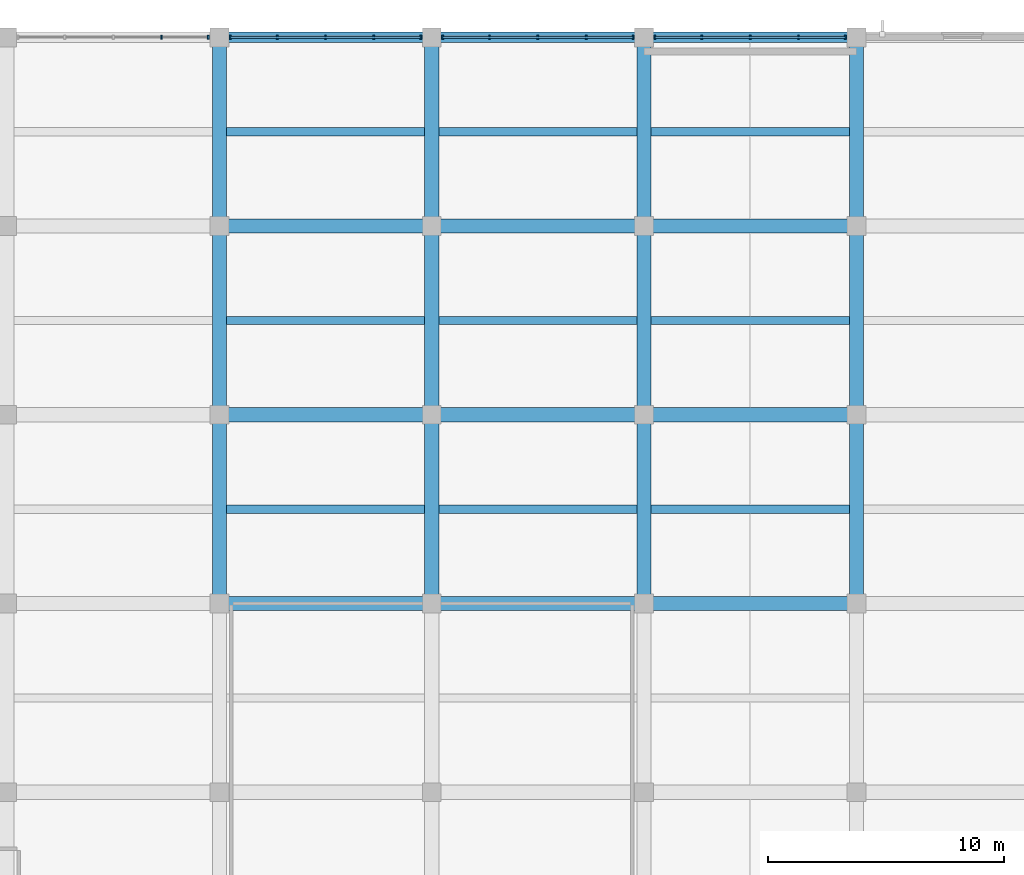
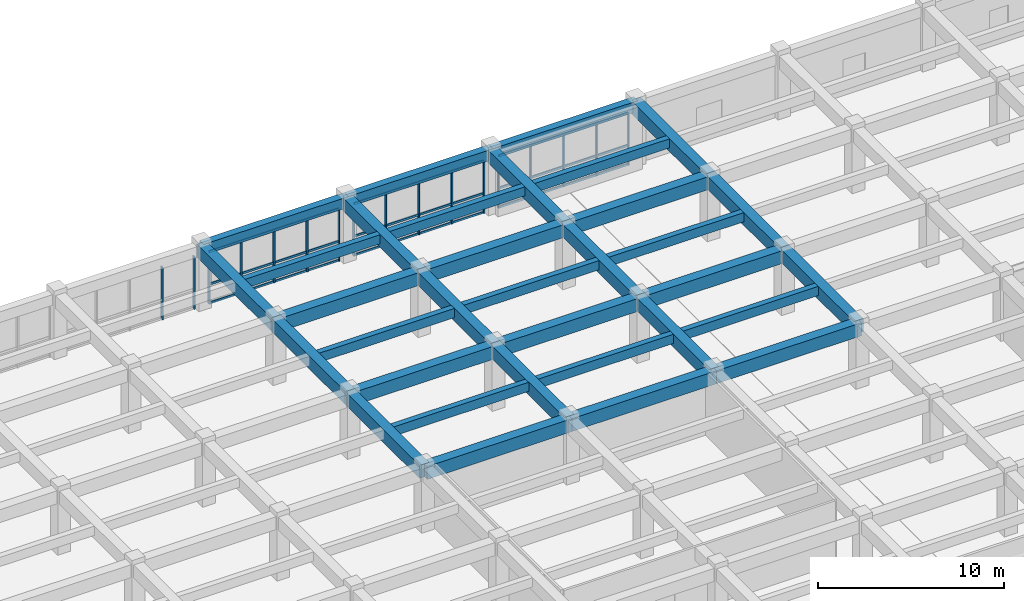
# One storey, part 17 of 50: 33 beams, 26 members, 4 elements without a shape of their own.
"""IFC4 building model written with IfcOpenShell, lengths in metres."""

import ifcopenshell
import ifcopenshell.guid

model = None  # the IFC model being written
_history = None  # IfcOwnerHistory: only IFC2X3 demands one
_inside = {}  # id of a spatial element -> (the spatial element, [elements in it])
_under = {}  # id of a project, library or spatial element -> (it, [spatial elements below it])
_declared = {}  # id of a project -> (the project, [libraries it declares])
_typed = {}  # id of a type object -> (the type object, [elements of that type])
_made_of = {}  # id of a material, layer set ... -> (it, [elements and type objects made of it])


def new_model(schema):
    """Start an empty IFC model of exactly this schema.

    Asked for "IFC4X3", IfcOpenShell would pick the latest addendum, in which some entities
    have other attributes; the version numbers below select the first issue.
    IFC2X3 requires an IfcOwnerHistory on every rooted entity: one is made here for all.
    """
    global model, _history
    if schema == "IFC4X3":
        model = ifcopenshell.file(schema_version=(4, 3, 0, 0))
    else:
        model = ifcopenshell.file(schema=schema)
    _inside.clear()
    _under.clear()
    _declared.clear()
    _typed.clear()
    _made_of.clear()
    _history = None
    if model.schema == "IFC2X3":
        org = make("IfcOrganization", Name="unknown")
        user = make(
            "IfcPersonAndOrganization",
            ThePerson=make("IfcPerson", FamilyName="unknown"),
            TheOrganization=org,
        )
        app = make(
            "IfcApplication",
            ApplicationDeveloper=org,
            Version="unknown",
            ApplicationFullName="unknown",
            ApplicationIdentifier="unknown",
        )
        _history = make(
            "IfcOwnerHistory",
            OwningUser=user,
            OwningApplication=app,
            ChangeAction="ADDED",
            CreationDate=0,
        )
    return model


def make(cls, **values):
    """One entity of the class cls with the attributes given. An attribute that is None is left unset."""
    return model.create_entity(
        cls, **{name: value for name, value in values.items() if value is not None}
    )


def rooted(cls, **values):
    """An entity with a GlobalId (a new one), such as an element, a storey or a relation."""
    return make(cls, GlobalId=ifcopenshell.guid.new(), OwnerHistory=_history, **values)


def si_unit(unit_type, name, prefix=None):
    """IfcSIUnit, for example si_unit("LENGTHUNIT", "METRE", prefix="MILLI")."""
    return make("IfcSIUnit", UnitType=unit_type, Prefix=prefix, Name=name)


def assignment(units):
    """IfcUnitAssignment: the units of a project."""
    return None if units is None else make("IfcUnitAssignment", Units=units)


def point(xyz):
    """IfcCartesianPoint."""
    return None if xyz is None else make("IfcCartesianPoint", Coordinates=xyz)


def direction(xyz):
    """IfcDirection."""
    return None if xyz is None else make("IfcDirection", DirectionRatios=xyz)


def frame(location, z_axis=None, x_axis=None):
    """IfcAxis2Placement3D, a coordinate frame: its origin and axes. An axis left out is left unset."""
    return make(
        "IfcAxis2Placement3D",
        Location=point(location),
        Axis=direction(z_axis),
        RefDirection=direction(x_axis),
    )


def frame_2d(location, x_axis=None):
    """IfcAxis2Placement2D, a coordinate frame in the plane: its origin and x axis."""
    return make(
        "IfcAxis2Placement2D", Location=point(location), RefDirection=direction(x_axis)
    )


def origin():
    """The frame at (0, 0, 0) with its axes left unset."""
    return frame((0.0, 0.0, 0.0))


def origin_2d():
    """The frame at (0, 0) in the plane with its x axis left unset."""
    return frame_2d((0.0, 0.0))


def place(relative_to, where):
    """IfcLocalPlacement: puts the frame where relative to a parent placement (None: the world)."""
    return make(
        "IfcLocalPlacement", PlacementRelTo=relative_to, RelativePlacement=where
    )


def context(
    kind, dimensions, precision=None, world=None, true_north=None, identifier=None
):
    """IfcGeometricRepresentationContext, for example the 3D "Model" context."""
    return make(
        "IfcGeometricRepresentationContext",
        ContextIdentifier=identifier,
        ContextType=kind,
        CoordinateSpaceDimension=dimensions,
        Precision=precision,
        WorldCoordinateSystem=world,
        TrueNorth=true_north,
    )


def subcontext(parent, identifier, kind, view, scale=None):
    """IfcGeometricRepresentationSubContext, for example "Body" below "Model"."""
    return make(
        "IfcGeometricRepresentationSubContext",
        ContextIdentifier=identifier,
        ContextType=kind,
        ParentContext=parent,
        TargetScale=scale,
        TargetView=view,
    )


def project(units=None, contexts=None):
    """IfcProject with its units and contexts."""
    return rooted(
        "IfcProject",
        Name="project",
        RepresentationContexts=contexts,
        UnitsInContext=assignment(units),
    )


def spatial(cls, under=None, at=None, **own):
    """A site, building, storey or space (cls), placed at a placement, below another one or the project."""
    s = rooted(cls, ObjectPlacement=at, **own)
    if under is not None:
        _under.setdefault(under.id(), (under, []))[1].append(s)
    return s


def profile(cls, at=None, kind="AREA", **sizes):
    """A parametric profile (cls). Its sizes go by their IFC names, for example OverallWidth=200.0."""
    return make(cls, ProfileType=kind, Position=at, **sizes)


def rectangle(**sizes):
    """IfcRectangleProfileDef."""
    return profile("IfcRectangleProfileDef", **sizes)


def extrude(swept, where, along, depth):
    """IfcExtrudedAreaSolid: the profile swept, set in the frame where, extruded along a direction by depth."""
    return make(
        "IfcExtrudedAreaSolid",
        SweptArea=swept,
        Position=where,
        ExtrudedDirection=direction(along),
        Depth=depth,
    )


def shape(context_of_items, identifier, shape_type, items):
    """IfcShapeRepresentation: the items that make up one representation, for example the "Body"."""
    return make(
        "IfcShapeRepresentation",
        ContextOfItems=context_of_items,
        RepresentationIdentifier=identifier,
        RepresentationType=shape_type,
        Items=items,
    )


def material(Name=None, Category=None):
    """IfcMaterial."""
    return make("IfcMaterial", Name=Name, Category=Category)


def material_profile(
    of_material, cross_section, Name=None, Category=None, Priority=None
):
    """IfcMaterialProfile: a cross section and its material."""
    return make(
        "IfcMaterialProfile",
        Name=Name,
        Material=of_material,
        Profile=cross_section,
        Priority=Priority,
        Category=Category,
    )


def profile_set(profiles, Name=None, composite=None):
    """IfcMaterialProfileSet."""
    return make(
        "IfcMaterialProfileSet",
        Name=Name,
        MaterialProfiles=profiles,
        CompositeProfile=composite,
    )


def made_of(thing, what):
    """Note that an element or type object is made of a material, layer set ...; save() writes the relation."""
    if what is not None:
        _made_of.setdefault(what.id(), (what, []))[1].append(thing)
    return thing


def type_object(cls, material=None, **own):
    """A type object (cls), such as IfcWallType, which elements share."""
    return made_of(rooted(cls, **own), material)


def element(
    cls,
    number,
    at=None,
    inside=None,
    cuts=None,
    type_object=None,
    material=None,
    context=None,
    identifier="Body",
    shape_type=None,
    held_by="IfcProductDefinitionShape",
    body=None,
    shapes=None,
    **own,
):
    """One element of the class cls, such as IfcWall. Its Tag is "e" and its number.

    at: its placement. inside: the storey or other place that contains it. cuts: it is an
    opening in that element (IfcRelVoidsElement). A single representation is given by context,
    identifier, shape_type and body (its items); several are given by shapes. held_by: the class
    of the entity that holds the representations. save() writes the other relations.
    """
    e = rooted(cls, Tag="e%d" % number, ObjectPlacement=at, **own)
    if body is not None:
        shapes = [shape(context, identifier, shape_type, body)]
    if shapes is not None:
        e.Representation = make(held_by, Representations=shapes)
    if inside is not None:
        _inside.setdefault(inside.id(), (inside, []))[1].append(e)
    if cuts is not None:
        rooted(
            "IfcRelVoidsElement", RelatingBuildingElement=cuts, RelatedOpeningElement=e
        )
    if type_object is not None:
        _typed.setdefault(type_object.id(), (type_object, []))[1].append(e)
    return made_of(e, material)


def aggregate(whole, parts):
    """IfcRelAggregates: a whole, such as a stair, and the parts it consists of."""
    return rooted("IfcRelAggregates", RelatingObject=whole, RelatedObjects=parts)


def save(model, path):
    """Write the relations noted so far, then the file.

    IfcRelAggregates (storeys below a building ...), IfcRelContainedInSpatialStructure (elements
    in a storey), IfcRelDefinesByType, IfcRelAssociatesMaterial and IfcRelDeclares: one each for
    every whole, place, type object, material and project.
    """
    for whole, parts in _under.values():
        aggregate(whole, parts)
    for where, things in _inside.values():
        rooted(
            "IfcRelContainedInSpatialStructure",
            RelatedElements=things,
            RelatingStructure=where,
        )
    for kind, things in _typed.values():
        rooted("IfcRelDefinesByType", RelatedObjects=things, RelatingType=kind)
    for what, things in _made_of.values():
        rooted("IfcRelAssociatesMaterial", RelatedObjects=things, RelatingMaterial=what)
    for by, libraries in _declared.values():
        rooted("IfcRelDeclares", RelatingContext=by, RelatedDefinitions=libraries)
    model.write(path)


model = new_model("IFC4")

# Units and contexts
model_context = context("Model", 3, precision=1e-05, world=origin(), true_north=direction((0.0, 1.0)))
body_context = subcontext(model_context, "Body", "Model", "MODEL_VIEW")
ifc_project = project(units=[si_unit("LENGTHUNIT", "METRE"), si_unit("AREAUNIT", "SQUARE_METRE"), si_unit("VOLUMEUNIT", "CUBIC_METRE"), si_unit("PLANEANGLEUNIT", "RADIAN"), si_unit("MASSUNIT", "GRAM", prefix="KILO")], contexts=[model_context])

# Site, building, storey
site_placement = place(None, origin())
site = spatial("IfcSite", under=ifc_project, at=site_placement, CompositionType="ELEMENT")
building_placement = place(site_placement, origin())
building = spatial("IfcBuilding", under=site, at=building_placement, Name="Zaverband Oceanarium and Marine Research Institute", CompositionType="ELEMENT")
storey_placement = place(building_placement, frame((0.0, 0.0, 4.5)))
storey = spatial("IfcBuildingStorey", under=building, at=storey_placement, Name="L01", CompositionType="ELEMENT", Elevation=4.5)

# Beams
ifc_material_1 = material(Name="Concrete C40/50", Category="concrete")
ifc_material_profile_1 = material_profile(ifc_material_1, rectangle(XDim=0.60009765625, YDim=0.85009765625, at=origin_2d()), Name="RC600x850")
ifc_profile_set_1 = profile_set([ifc_material_profile_1], Name="Concrete C40/50")
beam_type_1 = type_object("IfcBeamType", Name="BM-600x850", PredefinedType="BEAM", material=ifc_profile_set_1)
for number, where, z_axis, x_axis, name in (
    (1, (99.0, 96.0, 3.7548828125), (1.0, 0.0, 0.0), (0.0, 1.0, 0.0), "Primary floor girder BM-600x850"),
    (2, (108.0, 96.0, 3.7548828125), (1.0, 0.0, 0.0), (0.0, 1.0, 0.0), "Primary floor girder BM-600x850"),
    (3, (117.0, 96.0, 3.7548828125), (1.0, 0.0, 0.0), (0.0, 1.0, 0.0), "Primary floor girder BM-600x850"),
    (4, (99.0, 104.0, 3.7548828125), (1.0, 0.0, 0.0), (0.0, 1.0, 0.0), "Primary floor girder BM-600x850"),
    (5, (108.0, 104.0, 3.7548828125), (1.0, 0.0, 0.0), (0.0, 1.0, 0.0), "Primary floor girder BM-600x850"),
    (6, (117.0, 104.0, 3.7548828125), (1.0, 0.0, 0.0), (0.0, 1.0, 0.0), "Primary floor girder BM-600x850"),
    (7, (99.0, 112.0, 3.7548828125), (1.0, 0.0, 0.0), (0.0, 1.0, 0.0), "Primary floor girder BM-600x850"),
    (8, (108.0, 112.0, 3.7548828125), (1.0, 0.0, 0.0), (0.0, 1.0, 0.0), "Primary floor girder BM-600x850"),
    (9, (117.0, 112.0, 3.7548828125), (1.0, 0.0, 0.0), (0.0, 1.0, 0.0), "Primary floor girder BM-600x850"),
):
    element("IfcBeam", number, at=place(storey_placement, frame(where, z_axis=z_axis, x_axis=x_axis)), inside=storey, type_object=beam_type_1, Name=name, PredefinedType="BEAM", context=body_context, shape_type="SweptSolid", body=[
        extrude(rectangle(XDim=0.60009765625, YDim=0.85009765625, at=origin_2d()), origin(), (0.0, 0.0, 1.0), 9.0),
    ])
for number, where, z_axis, x_axis, name in (
    (10, (99.0, 96.0, 3.7548828125), (0.0, 1.0, 0.0), (-1.0, 0.0, 0.0), "Primary floor girder BM-600x850"),
    (11, (99.0, 104.0, 3.7548828125), (0.0, 1.0, 0.0), (-1.0, 0.0, 0.0), "Primary floor girder BM-600x850"),
    (12, (99.0, 112.0, 3.7548828125), (0.0, 1.0, 0.0), (-1.0, 0.0, 0.0), "Primary floor girder BM-600x850"),
    (13, (108.0, 96.0, 3.7548828125), (0.0, 1.0, 0.0), (-1.0, 0.0, 0.0), "Primary floor girder BM-600x850"),
    (14, (108.0, 104.0, 3.7548828125), (0.0, 1.0, 0.0), (-1.0, 0.0, 0.0), "Primary floor girder BM-600x850"),
    (15, (108.0, 112.0, 3.7548828125), (0.0, 1.0, 0.0), (-1.0, 0.0, 0.0), "Primary floor girder BM-600x850"),
    (16, (117.0, 96.0, 3.7548828125), (0.0, 1.0, 0.0), (-1.0, 0.0, 0.0), "Primary floor girder BM-600x850"),
    (17, (117.0, 104.0, 3.7548828125), (0.0, 1.0, 0.0), (-1.0, 0.0, 0.0), "Primary floor girder BM-600x850"),
    (18, (117.0, 112.0, 3.7548828125), (0.0, 1.0, 0.0), (-1.0, 0.0, 0.0), "Primary floor girder BM-600x850"),
    (19, (126.0, 96.0, 3.7548828125), (0.0, 1.0, 0.0), (-1.0, 0.0, 0.0), "Primary floor girder BM-600x850"),
    (20, (126.0, 104.0, 3.7548828125), (0.0, 1.0, 0.0), (-1.0, 0.0, 0.0), "Primary floor girder BM-600x850"),
    (21, (126.0, 112.0, 3.7548828125), (0.0, 1.0, 0.0), (-1.0, 0.0, 0.0), "Primary floor girder BM-600x850"),
):
    element("IfcBeam", number, at=place(storey_placement, frame(where, z_axis=z_axis, x_axis=x_axis)), inside=storey, type_object=beam_type_1, Name=name, PredefinedType="BEAM", context=body_context, shape_type="SweptSolid", body=[
        extrude(rectangle(XDim=0.60009765625, YDim=0.85009765625, at=origin_2d()), origin(), (0.0, 0.0, 1.0), 8.0),
    ])
ifc_material_profile_2 = material_profile(ifc_material_1, rectangle(XDim=0.35009765625, YDim=0.60009765625, at=origin_2d()), Name="RC350x600")
ifc_profile_set_2 = profile_set([ifc_material_profile_2], Name="Concrete C40/50")
beam_type_2 = type_object("IfcBeamType", Name="JST-350x600", PredefinedType="JOIST", material=ifc_profile_set_2)
for number, where, z_axis, x_axis, name in (
    (22, (99.300048828125, 100.0, 3.8798828125), (1.0, 0.0, 0.0), (0.0, 1.0, 0.0), "Secondary floor joist JST-350x600"),
    (23, (99.300048828125, 108.0, 3.8798828125), (1.0, 0.0, 0.0), (0.0, 1.0, 0.0), "Secondary floor joist JST-350x600"),
    (24, (99.300048828125, 116.0, 3.8798828125), (1.0, 0.0, 0.0), (0.0, 1.0, 0.0), "Secondary floor joist JST-350x600"),
    (25, (108.300048828125, 100.0, 3.8798828125), (1.0, 0.0, 0.0), (0.0, 1.0, 0.0), "Secondary floor joist JST-350x600"),
    (26, (108.300048828125, 108.0, 3.8798828125), (1.0, 0.0, 0.0), (0.0, 1.0, 0.0), "Secondary floor joist JST-350x600"),
    (27, (108.300048828125, 116.0, 3.8798828125), (1.0, 0.0, 0.0), (0.0, 1.0, 0.0), "Secondary floor joist JST-350x600"),
    (28, (117.300048828125, 100.0, 3.8798828125), (1.0, 0.0, 0.0), (0.0, 1.0, 0.0), "Secondary floor joist JST-350x600"),
    (29, (117.300048828125, 108.0, 3.8798828125), (1.0, 0.0, 0.0), (0.0, 1.0, 0.0), "Secondary floor joist JST-350x600"),
    (30, (117.300048828125, 116.0, 3.8798828125), (1.0, 0.0, 0.0), (0.0, 1.0, 0.0), "Secondary floor joist JST-350x600"),
):
    element("IfcBeam", number, at=place(storey_placement, frame(where, z_axis=z_axis, x_axis=x_axis)), inside=storey, type_object=beam_type_2, Name=name, PredefinedType="JOIST", context=body_context, shape_type="SweptSolid", body=[
        extrude(rectangle(XDim=0.35009765625, YDim=0.60009765625, at=origin_2d()), origin(), (0.0, 0.0, 1.0), 8.39990234375),
    ])

# Curtain wall, members
ifc_material_2 = material(Name="Thermally broken anodized aluminium and solar-control glass", Category="aluminium")
curtain_wall_type = type_object("IfcCurtainWallType", Name="CW-UNIT-1800", PredefinedType="NOTDEFINED", material=ifc_material_2)
curtain_wall_1_placement = place(storey_placement, origin())
curtain_wall_1 = element("IfcCurtainWall", 31, at=curtain_wall_1_placement, inside=storey, type_object=curtain_wall_type, Name="Unitised glazed curtain wall CW-025", PredefinedType="NOTDEFINED")
ifc_material_3 = material(Name="Thermally broken anodized aluminium", Category="aluminium")
ifc_material_profile_3 = material_profile(ifc_material_3, rectangle(XDim=0.080078125, YDim=0.179931640625, at=origin_2d()), Name="AL-MUL-80x180")
ifc_profile_set_3 = profile_set([ifc_material_profile_3], Name="Thermally broken anodized aluminium")
member_type_1 = type_object("IfcMemberType", Name="MUL-80x180", PredefinedType="MULLION", material=ifc_profile_set_3)
member_1_placement = place(storey_placement, frame((96.547607421875, 120.0, 0.0), z_axis=(0.0, 0.0, 1.0), x_axis=(1.0, 0.0, 0.0)))
member_1 = element("IfcMember", 32, at=member_1_placement, type_object=member_type_1, Name="Curtain wall vertical mullion MUL-80x180", PredefinedType="MULLION", context=body_context, shape_type="SweptSolid", body=[
    extrude(rectangle(XDim=0.080078125, YDim=0.179931640625, at=origin_2d()), origin(), (0.0, 0.0, 1.0), 3.4599609375),
])
member_2_placement = place(storey_placement, frame((98.534912109375, 120.0, 0.0), z_axis=(0.0, 0.0, 1.0), x_axis=(1.0, 0.0, 0.0)))
member_2 = element("IfcMember", 33, at=member_2_placement, type_object=member_type_1, Name="Curtain wall vertical mullion MUL-80x180", PredefinedType="MULLION", context=body_context, shape_type="SweptSolid", body=[
    extrude(rectangle(XDim=0.080078125, YDim=0.179931640625, at=origin_2d()), origin(), (0.0, 0.0, 1.0), 3.4599609375),
])
aggregate(curtain_wall_1, [member_1, member_2])

curtain_wall_2_placement = place(storey_placement, origin())
curtain_wall_2 = element("IfcCurtainWall", 34, at=curtain_wall_2_placement, inside=storey, type_object=curtain_wall_type, Name="Unitised glazed curtain wall CW-026", PredefinedType="NOTDEFINED")
member_3_placement = place(storey_placement, frame((99.465087890625, 120.0, 0.0), z_axis=(0.0, 0.0, 1.0), x_axis=(1.0, 0.0, 0.0)))
member_3 = element("IfcMember", 35, at=member_3_placement, type_object=member_type_1, Name="Curtain wall vertical mullion MUL-80x180", PredefinedType="MULLION", context=body_context, shape_type="SweptSolid", body=[
    extrude(rectangle(XDim=0.080078125, YDim=0.179931640625, at=origin_2d()), origin(), (0.0, 0.0, 1.0), 3.4599609375),
])
member_4_placement = place(storey_placement, frame((101.452392578125, 120.0, 0.0), z_axis=(0.0, 0.0, 1.0), x_axis=(1.0, 0.0, 0.0)))
member_4 = element("IfcMember", 36, at=member_4_placement, type_object=member_type_1, Name="Curtain wall vertical mullion MUL-80x180", PredefinedType="MULLION", context=body_context, shape_type="SweptSolid", body=[
    extrude(rectangle(XDim=0.080078125, YDim=0.179931640625, at=origin_2d()), origin(), (0.0, 0.0, 1.0), 3.4599609375),
])
member_5_placement = place(storey_placement, frame((103.5, 120.0, 0.0), z_axis=(0.0, 0.0, 1.0), x_axis=(1.0, 0.0, 0.0)))
member_5 = element("IfcMember", 37, at=member_5_placement, type_object=member_type_1, Name="Curtain wall vertical mullion MUL-80x180", PredefinedType="MULLION", context=body_context, shape_type="SweptSolid", body=[
    extrude(rectangle(XDim=0.080078125, YDim=0.179931640625, at=origin_2d()), origin(), (0.0, 0.0, 1.0), 3.4599609375),
])
member_6_placement = place(storey_placement, frame((105.547607421875, 120.0, 0.0), z_axis=(0.0, 0.0, 1.0), x_axis=(1.0, 0.0, 0.0)))
member_6 = element("IfcMember", 38, at=member_6_placement, type_object=member_type_1, Name="Curtain wall vertical mullion MUL-80x180", PredefinedType="MULLION", context=body_context, shape_type="SweptSolid", body=[
    extrude(rectangle(XDim=0.080078125, YDim=0.179931640625, at=origin_2d()), origin(), (0.0, 0.0, 1.0), 3.4599609375),
])
member_7_placement = place(storey_placement, frame((107.534912109375, 120.0, 0.0), z_axis=(0.0, 0.0, 1.0), x_axis=(1.0, 0.0, 0.0)))
member_7 = element("IfcMember", 39, at=member_7_placement, type_object=member_type_1, Name="Curtain wall vertical mullion MUL-80x180", PredefinedType="MULLION", context=body_context, shape_type="SweptSolid", body=[
    extrude(rectangle(XDim=0.080078125, YDim=0.179931640625, at=origin_2d()), origin(), (0.0, 0.0, 1.0), 3.4599609375),
])

curtain_wall_3_placement = place(storey_placement, origin())
curtain_wall_3 = element("IfcCurtainWall", 40, at=curtain_wall_3_placement, inside=storey, type_object=curtain_wall_type, Name="Unitised glazed curtain wall CW-027", PredefinedType="NOTDEFINED")
member_8_placement = place(storey_placement, frame((108.465087890625, 120.0, 0.0), z_axis=(0.0, 0.0, 1.0), x_axis=(1.0, 0.0, 0.0)))
member_8 = element("IfcMember", 41, at=member_8_placement, type_object=member_type_1, Name="Curtain wall vertical mullion MUL-80x180", PredefinedType="MULLION", context=body_context, shape_type="SweptSolid", body=[
    extrude(rectangle(XDim=0.080078125, YDim=0.179931640625, at=origin_2d()), origin(), (0.0, 0.0, 1.0), 3.4599609375),
])
member_9_placement = place(storey_placement, frame((110.452392578125, 120.0, 0.0), z_axis=(0.0, 0.0, 1.0), x_axis=(1.0, 0.0, 0.0)))
member_9 = element("IfcMember", 42, at=member_9_placement, type_object=member_type_1, Name="Curtain wall vertical mullion MUL-80x180", PredefinedType="MULLION", context=body_context, shape_type="SweptSolid", body=[
    extrude(rectangle(XDim=0.080078125, YDim=0.179931640625, at=origin_2d()), origin(), (0.0, 0.0, 1.0), 3.4599609375),
])
member_10_placement = place(storey_placement, frame((112.5, 120.0, 0.0), z_axis=(0.0, 0.0, 1.0), x_axis=(1.0, 0.0, 0.0)))
member_10 = element("IfcMember", 43, at=member_10_placement, type_object=member_type_1, Name="Curtain wall vertical mullion MUL-80x180", PredefinedType="MULLION", context=body_context, shape_type="SweptSolid", body=[
    extrude(rectangle(XDim=0.080078125, YDim=0.179931640625, at=origin_2d()), origin(), (0.0, 0.0, 1.0), 3.4599609375),
])
member_11_placement = place(storey_placement, frame((114.547607421875, 120.0, 0.0), z_axis=(0.0, 0.0, 1.0), x_axis=(1.0, 0.0, 0.0)))
member_11 = element("IfcMember", 44, at=member_11_placement, type_object=member_type_1, Name="Curtain wall vertical mullion MUL-80x180", PredefinedType="MULLION", context=body_context, shape_type="SweptSolid", body=[
    extrude(rectangle(XDim=0.080078125, YDim=0.179931640625, at=origin_2d()), origin(), (0.0, 0.0, 1.0), 3.4599609375),
])
member_12_placement = place(storey_placement, frame((116.534912109375, 120.0, 0.0), z_axis=(0.0, 0.0, 1.0), x_axis=(1.0, 0.0, 0.0)))
member_12 = element("IfcMember", 45, at=member_12_placement, type_object=member_type_1, Name="Curtain wall vertical mullion MUL-80x180", PredefinedType="MULLION", context=body_context, shape_type="SweptSolid", body=[
    extrude(rectangle(XDim=0.080078125, YDim=0.179931640625, at=origin_2d()), origin(), (0.0, 0.0, 1.0), 3.4599609375),
])

curtain_wall_4_placement = place(storey_placement, origin())
curtain_wall_4 = element("IfcCurtainWall", 46, at=curtain_wall_4_placement, inside=storey, type_object=curtain_wall_type, Name="Unitised glazed curtain wall CW-028", PredefinedType="NOTDEFINED")
member_13_placement = place(storey_placement, frame((117.465087890625, 120.0, 0.0), z_axis=(0.0, 0.0, 1.0), x_axis=(1.0, 0.0, 0.0)))
member_13 = element("IfcMember", 47, at=member_13_placement, type_object=member_type_1, Name="Curtain wall vertical mullion MUL-80x180", PredefinedType="MULLION", context=body_context, shape_type="SweptSolid", body=[
    extrude(rectangle(XDim=0.080078125, YDim=0.179931640625, at=origin_2d()), origin(), (0.0, 0.0, 1.0), 3.4599609375),
])
member_14_placement = place(storey_placement, frame((119.452392578125, 120.0, 0.0), z_axis=(0.0, 0.0, 1.0), x_axis=(1.0, 0.0, 0.0)))
member_14 = element("IfcMember", 48, at=member_14_placement, type_object=member_type_1, Name="Curtain wall vertical mullion MUL-80x180", PredefinedType="MULLION", context=body_context, shape_type="SweptSolid", body=[
    extrude(rectangle(XDim=0.080078125, YDim=0.179931640625, at=origin_2d()), origin(), (0.0, 0.0, 1.0), 3.4599609375),
])
member_15_placement = place(storey_placement, frame((121.5, 120.0, 0.0), z_axis=(0.0, 0.0, 1.0), x_axis=(1.0, 0.0, 0.0)))
member_15 = element("IfcMember", 49, at=member_15_placement, type_object=member_type_1, Name="Curtain wall vertical mullion MUL-80x180", PredefinedType="MULLION", context=body_context, shape_type="SweptSolid", body=[
    extrude(rectangle(XDim=0.080078125, YDim=0.179931640625, at=origin_2d()), origin(), (0.0, 0.0, 1.0), 3.4599609375),
])
member_16_placement = place(storey_placement, frame((123.547607421875, 120.0, 0.0), z_axis=(0.0, 0.0, 1.0), x_axis=(1.0, 0.0, 0.0)))
member_16 = element("IfcMember", 50, at=member_16_placement, type_object=member_type_1, Name="Curtain wall vertical mullion MUL-80x180", PredefinedType="MULLION", context=body_context, shape_type="SweptSolid", body=[
    extrude(rectangle(XDim=0.080078125, YDim=0.179931640625, at=origin_2d()), origin(), (0.0, 0.0, 1.0), 3.4599609375),
])
member_17_placement = place(storey_placement, frame((125.534912109375, 120.0, 0.0), z_axis=(0.0, 0.0, 1.0), x_axis=(1.0, 0.0, 0.0)))
member_17 = element("IfcMember", 51, at=member_17_placement, type_object=member_type_1, Name="Curtain wall vertical mullion MUL-80x180", PredefinedType="MULLION", context=body_context, shape_type="SweptSolid", body=[
    extrude(rectangle(XDim=0.080078125, YDim=0.179931640625, at=origin_2d()), origin(), (0.0, 0.0, 1.0), 3.4599609375),
])

# Beams
ifc_material_profile_4 = material_profile(ifc_material_1, rectangle(XDim=0.449951171875, YDim=0.699951171875, at=origin_2d()), Name="RC450x700")
ifc_profile_set_4 = profile_set([ifc_material_profile_4], Name="Concrete C40/50")
beam_type_3 = type_object("IfcBeamType", Name="SPN-450x700", PredefinedType="SPANDREL", material=ifc_profile_set_4)
for number, where, z_axis, x_axis, name in (
    (52, (99.0, 120.0, 3.830078125), (1.0, 0.0, 0.0), (0.0, 1.0, 0.0), "Perimeter spandrel beam SPN-450x700"),
    (53, (108.0, 120.0, 3.830078125), (1.0, 0.0, 0.0), (0.0, 1.0, 0.0), "Perimeter spandrel beam SPN-450x700"),
    (54, (117.0, 120.0, 3.830078125), (1.0, 0.0, 0.0), (0.0, 1.0, 0.0), "Perimeter spandrel beam SPN-450x700"),
):
    element("IfcBeam", number, at=place(storey_placement, frame(where, z_axis=z_axis, x_axis=x_axis)), inside=storey, type_object=beam_type_3, Name=name, PredefinedType="SPANDREL", context=body_context, shape_type="SweptSolid", body=[
        extrude(rectangle(XDim=0.449951171875, YDim=0.699951171875, at=origin_2d()), origin(), (0.0, 0.0, 1.0), 9.0),
    ])

# Member
ifc_material_profile_5 = material_profile(ifc_material_3, rectangle(XDim=0.080078125, YDim=0.139892578125, at=origin_2d()), Name="AL-TRN-80x140")
ifc_profile_set_5 = profile_set([ifc_material_profile_5], Name="Thermally broken anodized aluminium")
member_type_2 = type_object("IfcMemberType", Name="TRN-80x140", PredefinedType="USERDEFINED", material=ifc_profile_set_5)
member_18_placement = place(storey_placement, frame((99.465087890625, 120.0, 0.050048828125), z_axis=(1.0, 0.0, 0.0), x_axis=(0.0, 1.0, 0.0)))
member_18 = element("IfcMember", 55, at=member_18_placement, type_object=member_type_2, Name="Curtain wall horizontal transom TRN-80x140", ObjectType="TRANSOM", PredefinedType="USERDEFINED", context=body_context, shape_type="SweptSolid", body=[
    extrude(rectangle(XDim=0.080078125, YDim=0.139892578125, at=origin_2d()), origin(), (0.0, 0.0, 1.0), 8.06982421875),
])

member_19_placement = place(storey_placement, frame((99.465087890625, 120.0, 1.291015625), z_axis=(1.0, 0.0, 0.0), x_axis=(0.0, 1.0, 0.0)))
member_19 = element("IfcMember", 56, at=member_19_placement, type_object=member_type_2, Name="Curtain wall horizontal transom TRN-80x140", ObjectType="TRANSOM", PredefinedType="USERDEFINED", context=body_context, shape_type="SweptSolid", body=[
    extrude(rectangle(XDim=0.080078125, YDim=0.139892578125, at=origin_2d()), origin(), (0.0, 0.0, 1.0), 8.06982421875),
])

member_20_placement = place(storey_placement, frame((99.465087890625, 120.0, 3.409912109375), z_axis=(1.0, 0.0, 0.0), x_axis=(0.0, 1.0, 0.0)))
member_20 = element("IfcMember", 57, at=member_20_placement, type_object=member_type_2, Name="Curtain wall horizontal transom TRN-80x140", ObjectType="TRANSOM", PredefinedType="USERDEFINED", context=body_context, shape_type="SweptSolid", body=[
    extrude(rectangle(XDim=0.080078125, YDim=0.139892578125, at=origin_2d()), origin(), (0.0, 0.0, 1.0), 8.06982421875),
])

aggregate(curtain_wall_2, [member_3, member_4, member_5, member_6, member_7, member_18, member_19, member_20])

member_21_placement = place(storey_placement, frame((108.465087890625, 120.0, 0.050048828125), z_axis=(1.0, 0.0, 0.0), x_axis=(0.0, 1.0, 0.0)))
member_21 = element("IfcMember", 58, at=member_21_placement, type_object=member_type_2, Name="Curtain wall horizontal transom TRN-80x140", ObjectType="TRANSOM", PredefinedType="USERDEFINED", context=body_context, shape_type="SweptSolid", body=[
    extrude(rectangle(XDim=0.080078125, YDim=0.139892578125, at=origin_2d()), origin(), (0.0, 0.0, 1.0), 8.06982421875),
])

member_22_placement = place(storey_placement, frame((108.465087890625, 120.0, 1.291015625), z_axis=(1.0, 0.0, 0.0), x_axis=(0.0, 1.0, 0.0)))
member_22 = element("IfcMember", 59, at=member_22_placement, type_object=member_type_2, Name="Curtain wall horizontal transom TRN-80x140", ObjectType="TRANSOM", PredefinedType="USERDEFINED", context=body_context, shape_type="SweptSolid", body=[
    extrude(rectangle(XDim=0.080078125, YDim=0.139892578125, at=origin_2d()), origin(), (0.0, 0.0, 1.0), 8.06982421875),
])

member_23_placement = place(storey_placement, frame((108.465087890625, 120.0, 3.409912109375), z_axis=(1.0, 0.0, 0.0), x_axis=(0.0, 1.0, 0.0)))
member_23 = element("IfcMember", 60, at=member_23_placement, type_object=member_type_2, Name="Curtain wall horizontal transom TRN-80x140", ObjectType="TRANSOM", PredefinedType="USERDEFINED", context=body_context, shape_type="SweptSolid", body=[
    extrude(rectangle(XDim=0.080078125, YDim=0.139892578125, at=origin_2d()), origin(), (0.0, 0.0, 1.0), 8.06982421875),
])

aggregate(curtain_wall_3, [member_8, member_9, member_10, member_11, member_12, member_21, member_22, member_23])

member_24_placement = place(storey_placement, frame((117.465087890625, 120.0, 0.050048828125), z_axis=(1.0, 0.0, 0.0), x_axis=(0.0, 1.0, 0.0)))
member_24 = element("IfcMember", 61, at=member_24_placement, type_object=member_type_2, Name="Curtain wall horizontal transom TRN-80x140", ObjectType="TRANSOM", PredefinedType="USERDEFINED", context=body_context, shape_type="SweptSolid", body=[
    extrude(rectangle(XDim=0.080078125, YDim=0.139892578125, at=origin_2d()), origin(), (0.0, 0.0, 1.0), 8.06982421875),
])

member_25_placement = place(storey_placement, frame((117.465087890625, 120.0, 1.291015625), z_axis=(1.0, 0.0, 0.0), x_axis=(0.0, 1.0, 0.0)))
member_25 = element("IfcMember", 62, at=member_25_placement, type_object=member_type_2, Name="Curtain wall horizontal transom TRN-80x140", ObjectType="TRANSOM", PredefinedType="USERDEFINED", context=body_context, shape_type="SweptSolid", body=[
    extrude(rectangle(XDim=0.080078125, YDim=0.139892578125, at=origin_2d()), origin(), (0.0, 0.0, 1.0), 8.06982421875),
])

member_26_placement = place(storey_placement, frame((117.465087890625, 120.0, 3.409912109375), z_axis=(1.0, 0.0, 0.0), x_axis=(0.0, 1.0, 0.0)))
member_26 = element("IfcMember", 63, at=member_26_placement, type_object=member_type_2, Name="Curtain wall horizontal transom TRN-80x140", ObjectType="TRANSOM", PredefinedType="USERDEFINED", context=body_context, shape_type="SweptSolid", body=[
    extrude(rectangle(XDim=0.080078125, YDim=0.139892578125, at=origin_2d()), origin(), (0.0, 0.0, 1.0), 8.06982421875),
])

aggregate(curtain_wall_4, [member_13, member_14, member_15, member_16, member_17, member_24, member_25, member_26])

save(model, "model.ifc")
